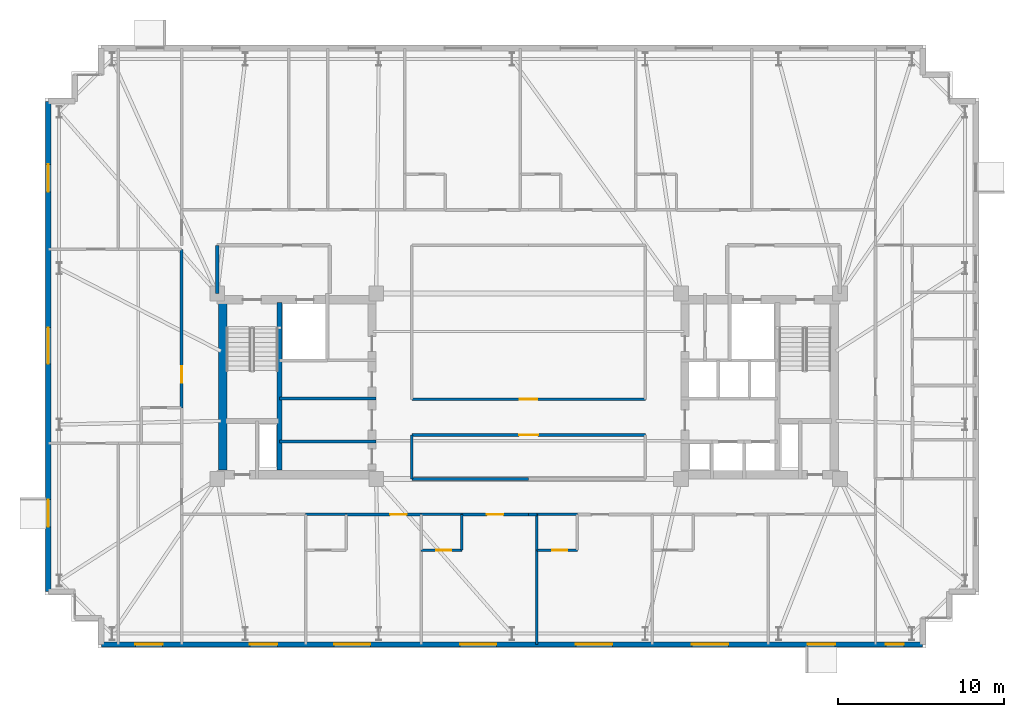
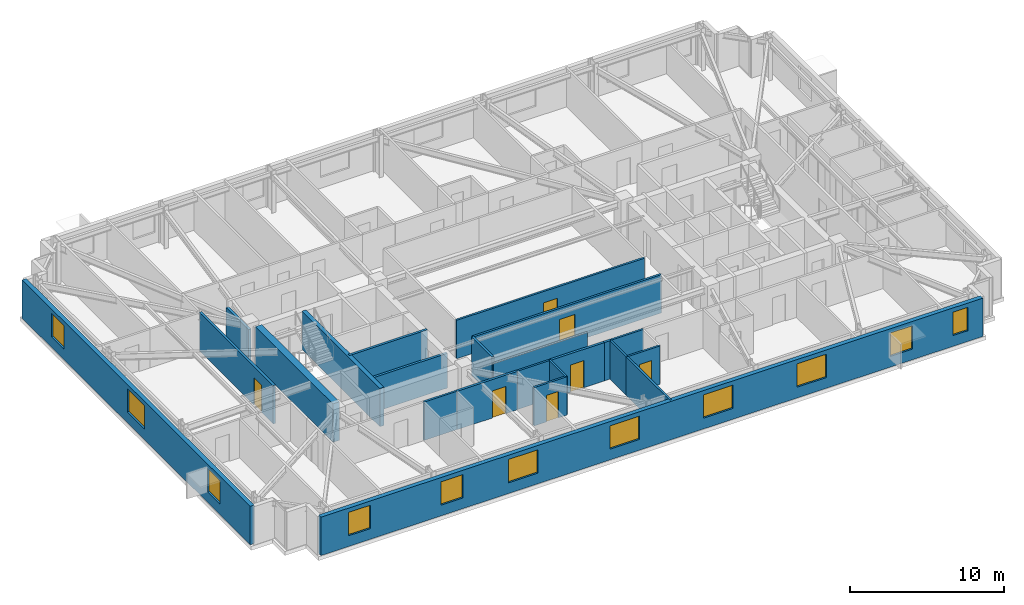
# One storey, part 11 of 17: 23 walls, 11 windows, 7 doors, 18 openings.
"""IFC4 building model written with IfcOpenShell, lengths in metres."""

from ifc_helpers import new_model, si_unit, direction, frame, frame_2d, origin, place, context, subcontext, project, spatial, rectangle, extrude, material, layer, layer_set, type_object, element, fill, save


model = new_model("IFC4")

# Units and contexts
model_context = context("Model", 3, precision=1e-05, world=origin(), true_north=direction((0.0, 1.0)))
body_context = subcontext(model_context, "Body", "Model", "MODEL_VIEW")
ifc_project = project(units=[si_unit("LENGTHUNIT", "METRE"), si_unit("AREAUNIT", "SQUARE_METRE"), si_unit("VOLUMEUNIT", "CUBIC_METRE"), si_unit("PLANEANGLEUNIT", "RADIAN"), si_unit("MASSUNIT", "GRAM", prefix="KILO")], contexts=[model_context])

# Site, building, storey
site_placement = place(None, origin())
site = spatial("IfcSite", under=ifc_project, at=site_placement, CompositionType="ELEMENT")
building_placement = place(site_placement, origin())
building = spatial("IfcBuilding", under=site, at=building_placement, Name="Qobustan Lattice House", CompositionType="ELEMENT")
storey_placement = place(building_placement, frame((0.0, 0.0, 161.14990234375)))
storey = spatial("IfcBuildingStorey", under=building, at=storey_placement, Name="L45", CompositionType="ELEMENT", Elevation=161.14990234375)

# Walls
ifc_material_1 = material(Name="Concrete C50/60", Category="concrete")
ifc_layer_1 = layer(ifc_material_1, 0.5)
ifc_layer_set_1 = layer_set([ifc_layer_1], Name="Concrete C50/60")
wall_type_1 = type_object("IfcWallType", Name="WAL-CORE-500", PredefinedType="SHEAR", material=ifc_layer_set_1)
wall_1_placement = place(storey_placement, frame((-18.4599609375, -5.050048828125, 0.0), z_axis=(0.0, 0.0, 1.0), x_axis=(0.0, 1.0, 0.0)))
element("IfcWall", 1, at=wall_1_placement, inside=storey, type_object=wall_type_1, Name="L45 split-core shear wall CW-W", PredefinedType="SHEAR", context=body_context, shape_type="SweptSolid", body=[
    extrude(rectangle(XDim=10.10009765625, YDim=0.5, at=frame_2d((5.050048828125, 0.0))), origin(), (0.0, 0.0, 1.0), 3.0400390625),
])
ifc_material_2 = material(Name="Concrete C50/60", Category="concrete")
ifc_layer_2 = layer(ifc_material_2, 0.280029296875)
ifc_layer_set_2 = layer_set([ifc_layer_2], Name="Concrete C50/60")
wall_type_2 = type_object("IfcWallType", Name="WAL-CORE-SPINE-280", PredefinedType="SHEAR", material=ifc_layer_set_2)
wall_2_placement = place(storey_placement, frame((-15.050048828125, -5.050048828125, 0.0), z_axis=(0.0, 0.0, 1.0), x_axis=(0.0, 1.0, 0.0)))
element("IfcWall", 2, at=wall_2_placement, inside=storey, type_object=wall_type_2, Name="L45 split-core shear wall CW-M", PredefinedType="SHEAR", context=body_context, shape_type="SweptSolid", body=[
    extrude(rectangle(XDim=10.10009765625, YDim=0.300048828125, at=frame_2d((5.050048828125, 0.0))), origin(), (0.0, 0.0, 1.0), 3.0400390625),
])

# Wall, openings, windows
ifc_material_3 = material(Name="Precast concrete C40/50", Category="concrete")
ifc_layer_3 = layer(ifc_material_3, 0.320068359375)
ifc_layer_set_3 = layer_set([ifc_layer_3], Name="Precast concrete C40/50")
wall_type_3 = type_object("IfcWallType", Name="WAL-EXT-STONE-320", PredefinedType="SOLIDWALL", material=ifc_layer_set_3)
wall_3_placement = place(storey_placement, frame((-29.0, -12.39990234375, 0.0), z_axis=(0.0, 0.0, 1.0), x_axis=(0.0, 1.0, 0.0)))
wall_3 = element("IfcWall", 3, at=wall_3_placement, inside=storey, type_object=wall_type_3, Name="L45 exterior limestone-clad wall 5", PredefinedType="SOLIDWALL", context=body_context, shape_type="SweptSolid", body=[
    extrude(rectangle(XDim=29.599853515625, YDim=0.320068359375, at=frame_2d((14.7998046875, 0.0))), origin(), (0.0, 0.0, 1.0), 3.0400390625),
])
opening_1_placement = place(wall_3_placement, frame((3.89501953125, 0.0, 0.85009765625)))
opening_1 = element("IfcOpeningElement", 4, at=opening_1_placement, cuts=wall_3, Name="Opening WN-09", PredefinedType="OPENING", context=body_context, shape_type="SweptSolid", body=[
    extrude(rectangle(XDim=1.64990234375, YDim=1.85009765625, at=frame_2d((0.824951171875, 0.925048828125))), frame((0.0, 0.169921875, 0.0), z_axis=(0.0, -1.0, 0.0), x_axis=(1.0, 0.0, 0.0)), (0.0, 0.0, 1.0), 0.340087890625),
])
opening_2_placement = place(wall_3_placement, frame((13.739990234375, 0.0, 0.85009765625)))
opening_2 = element("IfcOpeningElement", 5, at=opening_2_placement, cuts=wall_3, Name="Opening WN-03", PredefinedType="OPENING", context=body_context, shape_type="SweptSolid", body=[
    extrude(rectangle(XDim=2.199951171875, YDim=1.85009765625, at=frame_2d((1.10009765625, 0.925048828125))), frame((0.0, 0.169921875, 0.0), z_axis=(0.0, -1.0, 0.0), x_axis=(1.0, 0.0, 0.0)), (0.0, 0.0, 1.0), 0.340087890625),
])
opening_3_placement = place(wall_3_placement, frame((24.135009765625, 0.0, 0.85009765625)))
opening_3 = element("IfcOpeningElement", 6, at=opening_3_placement, cuts=wall_3, Name="Opening WN-09", PredefinedType="OPENING", context=body_context, shape_type="SweptSolid", body=[
    extrude(rectangle(XDim=1.64990234375, YDim=1.85009765625, at=frame_2d((0.824951171875, 0.925048828125))), frame((0.0, 0.169921875, 0.0), z_axis=(0.0, -1.0, 0.0), x_axis=(1.0, 0.0, 0.0)), (0.0, 0.0, 1.0), 0.340087890625),
])
ifc_material_4 = material(Name="Double-glazed low-E aluminium window", Category="aluminium")
window_type_1 = type_object("IfcWindowType", Name="WIN-STU-1650x1850", PartitioningType="SINGLE_PANEL", PredefinedType="WINDOW", material=ifc_material_4)
window_1_placement = place(opening_1_placement, origin())
window_1 = element("IfcWindow", 7, at=window_1_placement, inside=storey, type_object=window_type_1, Name="L45 Focus study room W1A window", OverallHeight=1.85009765625, OverallWidth=1.64990234375, PartitioningType="SINGLE_PANEL", PredefinedType="WINDOW", context=body_context, shape_type="SweptSolid", body=[
    extrude(rectangle(XDim=1.64990234375, YDim=1.85009765625, at=frame_2d((0.824951171875, 0.925048828125))), frame((0.0, 0.030029296875, 0.0), z_axis=(0.0, -1.0, 0.0), x_axis=(1.0, 0.0, 0.0)), (0.0, 0.0, 1.0), 0.06005859375),
])
fill(opening_1, window_1)
window_2_placement = place(opening_3_placement, origin())
window_2 = element("IfcWindow", 8, at=window_2_placement, inside=storey, type_object=window_type_1, Name="L45 Focus study room W3A window", OverallHeight=1.85009765625, OverallWidth=1.64990234375, PartitioningType="SINGLE_PANEL", PredefinedType="WINDOW", context=body_context, shape_type="SweptSolid", body=[
    extrude(rectangle(XDim=1.64990234375, YDim=1.85009765625, at=frame_2d((0.824951171875, 0.925048828125))), frame((0.0, 0.030029296875, 0.0), z_axis=(0.0, -1.0, 0.0), x_axis=(1.0, 0.0, 0.0)), (0.0, 0.0, 1.0), 0.06005859375),
])
fill(opening_3, window_2)
ifc_material_5 = material(Name="Double-glazed low-E aluminium window", Category="aluminium")
window_type_2 = type_object("IfcWindowType", Name="WIN-WIDE-2200x1850", PartitioningType="SINGLE_PANEL", PredefinedType="WINDOW", material=ifc_material_5)
window_3_placement = place(opening_2_placement, origin())
window_3 = element("IfcWindow", 9, at=window_3_placement, inside=storey, type_object=window_type_2, Name="L45 Kitchenette and studio apartment L45-W2 window", OverallHeight=1.85009765625, OverallWidth=2.199951171875, PartitioningType="SINGLE_PANEL", PredefinedType="WINDOW", context=body_context, shape_type="SweptSolid", body=[
    extrude(rectangle(XDim=2.199951171875, YDim=1.85009765625, at=frame_2d((1.10009765625, 0.925048828125))), frame((0.0, 0.030029296875, 0.0), z_axis=(0.0, -1.0, 0.0), x_axis=(1.0, 0.0, 0.0)), (0.0, 0.0, 1.0), 0.06005859375),
])
fill(opening_2, window_3)

wall_4_placement = place(storey_placement, frame((23.800048828125, -15.60009765625, 0.0), z_axis=(0.0, 0.0, 1.0), x_axis=(-1.0, 0.0, 0.0)))
wall_4 = element("IfcWall", 10, at=wall_4_placement, inside=storey, type_object=wall_type_3, Name="L45 exterior limestone-clad wall 20", PredefinedType="SOLIDWALL", context=body_context, shape_type="SweptSolid", body=[
    extrude(rectangle(XDim=49.60009765625, YDim=0.320068359375, at=frame_2d((24.800048828125, 0.0))), origin(), (0.0, 0.0, 1.0), 3.0400390625),
])
opening_4_placement = place(wall_4_placement, frame((1.1298828125, 0.0, 0.85009765625)))
opening_4 = element("IfcOpeningElement", 11, at=opening_4_placement, cuts=wall_4, Name="Opening WN-04", PredefinedType="OPENING", context=body_context, shape_type="SweptSolid", body=[
    extrude(rectangle(XDim=1.10009765625, YDim=1.85009765625, at=frame_2d((0.550048828125, 0.925048828125))), frame((0.0, 0.169921875, 0.0), z_axis=(0.0, -1.0, 0.0), x_axis=(1.0, 0.0, 0.0)), (0.0, 0.0, 1.0), 0.340087890625),
])
opening_5_placement = place(wall_4_placement, frame((5.294921875, 0.0, 0.85009765625)))
opening_5 = element("IfcOpeningElement", 12, at=opening_5_placement, cuts=wall_4, Name="Opening WN-09", PredefinedType="OPENING", context=body_context, shape_type="SweptSolid", body=[
    extrude(rectangle(XDim=1.64990234375, YDim=1.85009765625, at=frame_2d((0.824951171875, 0.925048828125))), frame((0.0, 0.169921875, 0.0), z_axis=(0.0, -1.0, 0.0), x_axis=(1.0, 0.0, 0.0)), (0.0, 0.0, 1.0), 0.340087890625),
])
opening_6_placement = place(wall_4_placement, frame((11.739990234375, 0.0, 0.85009765625)))
opening_6 = element("IfcOpeningElement", 13, at=opening_6_placement, cuts=wall_4, Name="Opening WN-03", PredefinedType="OPENING", context=body_context, shape_type="SweptSolid", body=[
    extrude(rectangle(XDim=2.199951171875, YDim=1.85009765625, at=frame_2d((1.10009765625, 0.925048828125))), frame((0.0, 0.169921875, 0.0), z_axis=(0.0, -1.0, 0.0), x_axis=(1.0, 0.0, 0.0)), (0.0, 0.0, 1.0), 0.340087890625),
])
opening_7_placement = place(wall_4_placement, frame((18.739990234375, 0.0, 0.85009765625)))
opening_7 = element("IfcOpeningElement", 14, at=opening_7_placement, cuts=wall_4, Name="Opening WN-03", PredefinedType="OPENING", context=body_context, shape_type="SweptSolid", body=[
    extrude(rectangle(XDim=2.199951171875, YDim=1.85009765625, at=frame_2d((1.10009765625, 0.925048828125))), frame((0.0, 0.169921875, 0.0), z_axis=(0.0, -1.0, 0.0), x_axis=(1.0, 0.0, 0.0)), (0.0, 0.0, 1.0), 0.340087890625),
])
opening_8_placement = place(wall_4_placement, frame((25.739990234375, 0.0, 0.85009765625)))
opening_8 = element("IfcOpeningElement", 15, at=opening_8_placement, cuts=wall_4, Name="Opening WN-03", PredefinedType="OPENING", context=body_context, shape_type="SweptSolid", body=[
    extrude(rectangle(XDim=2.199951171875, YDim=1.85009765625, at=frame_2d((1.10009765625, 0.925048828125))), frame((0.0, 0.169921875, 0.0), z_axis=(0.0, -1.0, 0.0), x_axis=(1.0, 0.0, 0.0)), (0.0, 0.0, 1.0), 0.340087890625),
])
opening_9_placement = place(wall_4_placement, frame((33.347900390625, 0.0, 0.85009765625)))
opening_9 = element("IfcOpeningElement", 16, at=opening_9_placement, cuts=wall_4, Name="Opening WN-03", PredefinedType="OPENING", context=body_context, shape_type="SweptSolid", body=[
    extrude(rectangle(XDim=2.199951171875, YDim=1.85009765625, at=frame_2d((1.10009765625, 0.925048828125))), frame((0.0, 0.169921875, 0.0), z_axis=(0.0, -1.0, 0.0), x_axis=(1.0, 0.0, 0.0)), (0.0, 0.0, 1.0), 0.340087890625),
])
opening_10_placement = place(wall_4_placement, frame((38.972412109375, 0.0, 0.85009765625)))
opening_10 = element("IfcOpeningElement", 17, at=opening_10_placement, cuts=wall_4, Name="Opening WN-09", PredefinedType="OPENING", context=body_context, shape_type="SweptSolid", body=[
    extrude(rectangle(XDim=1.64990234375, YDim=1.85009765625, at=frame_2d((0.824951171875, 0.925048828125))), frame((0.0, 0.169921875, 0.0), z_axis=(0.0, -1.0, 0.0), x_axis=(1.0, 0.0, 0.0)), (0.0, 0.0, 1.0), 0.340087890625),
])
opening_11_placement = place(wall_4_placement, frame((45.89501953125, 0.0, 0.85009765625)))
opening_11 = element("IfcOpeningElement", 18, at=opening_11_placement, cuts=wall_4, Name="Opening WN-09", PredefinedType="OPENING", context=body_context, shape_type="SweptSolid", body=[
    extrude(rectangle(XDim=1.64990234375, YDim=1.85009765625, at=frame_2d((0.824951171875, 0.925048828125))), frame((0.0, 0.169921875, 0.0), z_axis=(0.0, -1.0, 0.0), x_axis=(1.0, 0.0, 0.0)), (0.0, 0.0, 1.0), 0.340087890625),
])
ifc_material_6 = material(Name="Double-glazed low-E aluminium window", Category="aluminium")
window_type_3 = type_object("IfcWindowType", Name="WIN-NAR-1100x1850", PartitioningType="SINGLE_PANEL", PredefinedType="WINDOW", material=ifc_material_6)
window_4_placement = place(opening_4_placement, origin())
window_4 = element("IfcWindow", 19, at=window_4_placement, inside=storey, type_object=window_type_3, Name="L45 Reading study room L45ES window", OverallHeight=1.85009765625, OverallWidth=1.10009765625, PartitioningType="SINGLE_PANEL", PredefinedType="WINDOW", context=body_context, shape_type="SweptSolid", body=[
    extrude(rectangle(XDim=1.10009765625, YDim=1.85009765625, at=frame_2d((0.550048828125, 0.925048828125))), frame((0.0, 0.030029296875, 0.0), z_axis=(0.0, -1.0, 0.0), x_axis=(1.0, 0.0, 0.0)), (0.0, 0.0, 1.0), 0.06005859375),
])
fill(opening_4, window_4)
window_5_placement = place(opening_5_placement, origin())
window_5 = element("IfcWindow", 20, at=window_5_placement, inside=storey, type_object=window_type_1, Name="L45 Group study room window", OverallHeight=1.85009765625, OverallWidth=1.64990234375, PartitioningType="SINGLE_PANEL", PredefinedType="WINDOW", context=body_context, shape_type="SweptSolid", body=[
    extrude(rectangle(XDim=1.64990234375, YDim=1.85009765625, at=frame_2d((0.824951171875, 0.925048828125))), frame((0.0, 0.030029296875, 0.0), z_axis=(0.0, -1.0, 0.0), x_axis=(1.0, 0.0, 0.0)), (0.0, 0.0, 1.0), 0.06005859375),
])
fill(opening_5, window_5)
window_6_placement = place(opening_10_placement, origin())
window_6 = element("IfcWindow", 21, at=window_6_placement, inside=storey, type_object=window_type_1, Name="L45 Focus study room S1 window", OverallHeight=1.85009765625, OverallWidth=1.64990234375, PartitioningType="SINGLE_PANEL", PredefinedType="WINDOW", context=body_context, shape_type="SweptSolid", body=[
    extrude(rectangle(XDim=1.64990234375, YDim=1.85009765625, at=frame_2d((0.824951171875, 0.925048828125))), frame((0.0, 0.030029296875, 0.0), z_axis=(0.0, -1.0, 0.0), x_axis=(1.0, 0.0, 0.0)), (0.0, 0.0, 1.0), 0.06005859375),
])
fill(opening_10, window_6)
window_7_placement = place(opening_11_placement, origin())
window_7 = element("IfcWindow", 22, at=window_7_placement, inside=storey, type_object=window_type_1, Name="L45 Focus study room W1B window", OverallHeight=1.85009765625, OverallWidth=1.64990234375, PartitioningType="SINGLE_PANEL", PredefinedType="WINDOW", context=body_context, shape_type="SweptSolid", body=[
    extrude(rectangle(XDim=1.64990234375, YDim=1.85009765625, at=frame_2d((0.824951171875, 0.925048828125))), frame((0.0, 0.030029296875, 0.0), z_axis=(0.0, -1.0, 0.0), x_axis=(1.0, 0.0, 0.0)), (0.0, 0.0, 1.0), 0.06005859375),
])
fill(opening_11, window_7)
window_8_placement = place(opening_6_placement, origin())
window_8 = element("IfcWindow", 23, at=window_8_placement, inside=storey, type_object=window_type_2, Name="L45 Kitchenette and studio apartment L45-S5 window", OverallHeight=1.85009765625, OverallWidth=2.199951171875, PartitioningType="SINGLE_PANEL", PredefinedType="WINDOW", context=body_context, shape_type="SweptSolid", body=[
    extrude(rectangle(XDim=2.199951171875, YDim=1.85009765625, at=frame_2d((1.10009765625, 0.925048828125))), frame((0.0, 0.030029296875, 0.0), z_axis=(0.0, -1.0, 0.0), x_axis=(1.0, 0.0, 0.0)), (0.0, 0.0, 1.0), 0.06005859375),
])
fill(opening_6, window_8)
window_9_placement = place(opening_7_placement, origin())
window_9 = element("IfcWindow", 24, at=window_9_placement, inside=storey, type_object=window_type_2, Name="L45 Kitchenette and studio apartment L45-S4 window", OverallHeight=1.85009765625, OverallWidth=2.199951171875, PartitioningType="SINGLE_PANEL", PredefinedType="WINDOW", context=body_context, shape_type="SweptSolid", body=[
    extrude(rectangle(XDim=2.199951171875, YDim=1.85009765625, at=frame_2d((1.10009765625, 0.925048828125))), frame((0.0, 0.030029296875, 0.0), z_axis=(0.0, -1.0, 0.0), x_axis=(1.0, 0.0, 0.0)), (0.0, 0.0, 1.0), 0.06005859375),
])
fill(opening_7, window_9)
window_10_placement = place(opening_8_placement, origin())
window_10 = element("IfcWindow", 25, at=window_10_placement, inside=storey, type_object=window_type_2, Name="L45 Kitchenette and studio apartment L45-S3 window", OverallHeight=1.85009765625, OverallWidth=2.199951171875, PartitioningType="SINGLE_PANEL", PredefinedType="WINDOW", context=body_context, shape_type="SweptSolid", body=[
    extrude(rectangle(XDim=2.199951171875, YDim=1.85009765625, at=frame_2d((1.10009765625, 0.925048828125))), frame((0.0, 0.030029296875, 0.0), z_axis=(0.0, -1.0, 0.0), x_axis=(1.0, 0.0, 0.0)), (0.0, 0.0, 1.0), 0.06005859375),
])
fill(opening_8, window_10)
window_11_placement = place(opening_9_placement, origin())
window_11 = element("IfcWindow", 26, at=window_11_placement, inside=storey, type_object=window_type_2, Name="L45 Kitchenette and studio apartment L45-S2 window", OverallHeight=1.85009765625, OverallWidth=2.199951171875, PartitioningType="SINGLE_PANEL", PredefinedType="WINDOW", context=body_context, shape_type="SweptSolid", body=[
    extrude(rectangle(XDim=2.199951171875, YDim=1.85009765625, at=frame_2d((1.10009765625, 0.925048828125))), frame((0.0, 0.030029296875, 0.0), z_axis=(0.0, -1.0, 0.0), x_axis=(1.0, 0.0, 0.0)), (0.0, 0.0, 1.0), 0.06005859375),
])
fill(opening_9, window_11)

# Walls
ifc_material_7 = material(Name="Gypsum fireboard acoustic partition", Category="gypsum")
ifc_layer_4 = layer(ifc_material_7, 0.179931640625)
ifc_layer_set_4 = layer_set([ifc_layer_4], Name="Gypsum fireboard acoustic partition")
wall_type_4 = type_object("IfcWallType", Name="WAL-FIRE-180", PredefinedType="PARTITIONING", material=ifc_layer_set_4)
wall_5_placement = place(storey_placement, frame((-15.050048828125, -3.35009765625, 0.0), z_axis=(0.0, 0.0, 1.0), x_axis=(1.0, 0.0, 0.0)))
element("IfcWall", 27, at=wall_5_placement, inside=storey, type_object=wall_type_4, Name="L45 interior partition 8", PredefinedType="PARTITIONING", context=body_context, shape_type="SweptSolid", body=[
    extrude(rectangle(XDim=5.85009765625, YDim=0.179931640625, at=frame_2d((2.925048828125, 0.0))), origin(), (0.0, 0.0, 1.0), 2.755126953125),
])
wall_6_placement = place(storey_placement, frame((-9.199951171875, -0.75, 0.0), z_axis=(0.0, 0.0, 1.0), x_axis=(-1.0, 0.0, 0.0)))
element("IfcWall", 28, at=wall_6_placement, inside=storey, type_object=wall_type_4, Name="L45 interior partition 9", PredefinedType="PARTITIONING", context=body_context, shape_type="SweptSolid", body=[
    extrude(rectangle(XDim=5.85009765625, YDim=0.179931640625, at=frame_2d((2.925048828125, 0.0))), origin(), (0.0, 0.0, 1.0), 3.0400390625),
])

# Wall, opening, door
wall_7_placement = place(storey_placement, frame((-6.48291015625, -7.75, 0.0), z_axis=(0.0, 0.0, 1.0), x_axis=(-1.0, 0.0, 0.0)))
wall_7 = element("IfcWall", 29, at=wall_7_placement, inside=storey, type_object=wall_type_4, Name="L45 interior partition 48", PredefinedType="PARTITIONING", context=body_context, shape_type="SweptSolid", body=[
    extrude(rectangle(XDim=4.5341796875, YDim=0.179931640625, at=frame_2d((2.26708984375, 0.0))), origin(), (0.0, 0.0, 1.0), 3.0400390625),
])
opening_12_placement = place(wall_7_placement, frame((0.876708984375, 0.0, 0.0)))
opening_12 = element("IfcOpeningElement", 30, at=opening_12_placement, cuts=wall_7, Name="Opening FD-02", PredefinedType="OPENING", context=body_context, shape_type="SweptSolid", body=[
    extrude(rectangle(XDim=1.0, YDim=2.14990234375, at=frame_2d((0.5, 1.074951171875))), frame((0.0, 0.099853515625, 0.0), z_axis=(0.0, -1.0, 0.0), x_axis=(1.0, 0.0, 0.0)), (0.0, 0.0, 1.0), 0.199951171875),
])
ifc_material_8 = material(Name="Persian walnut timber and steel frame door", Category="steel")
door_type_1 = type_object("IfcDoorType", Name="DOR-UNIT-FD-1000x2150", OperationType="NOTDEFINED", PredefinedType="DOOR", material=ifc_material_8)
door_1_placement = place(opening_12_placement, origin())
door_1 = element("IfcDoor", 31, at=door_1_placement, inside=storey, type_object=door_type_1, Name="L45 South-west floor corridor to Kitchenette and studio apartment L45-S2 door", OperationType="SINGLE_SWING_RIGHT", OverallHeight=2.14990234375, OverallWidth=1.0, PredefinedType="DOOR", context=body_context, shape_type="SweptSolid", body=[
    extrude(rectangle(XDim=1.0, YDim=2.14990234375, at=frame_2d((0.5, 1.074951171875))), frame((0.0, 0.02490234375, 0.0), z_axis=(0.0, -1.0, 0.0), x_axis=(1.0, 0.0, 0.0)), (0.0, 0.0, 1.0), 0.050048828125),
])
fill(opening_12, door_1)

wall_8_placement = place(storey_placement, frame((0.0, -7.75, 0.0), z_axis=(0.0, 0.0, 1.0), x_axis=(-1.0, 0.0, 0.0)))
wall_8 = element("IfcWall", 32, at=wall_8_placement, inside=storey, type_object=wall_type_4, Name="L45 interior partition 50", PredefinedType="PARTITIONING", context=body_context, shape_type="SweptSolid", body=[
    extrude(rectangle(XDim=4.032958984375, YDim=0.179931640625, at=frame_2d((2.0166015625, 0.0))), origin(), (0.0, 0.0, 1.0), 3.0400390625),
])
opening_13_placement = place(wall_8_placement, frame((1.5166015625, 0.0, 0.0)))
opening_13 = element("IfcOpeningElement", 33, at=opening_13_placement, cuts=wall_8, Name="Opening FD-02", PredefinedType="OPENING", context=body_context, shape_type="SweptSolid", body=[
    extrude(rectangle(XDim=1.0, YDim=2.14990234375, at=frame_2d((0.5, 1.074951171875))), frame((0.0, 0.099853515625, 0.0), z_axis=(0.0, -1.0, 0.0), x_axis=(1.0, 0.0, 0.0)), (0.0, 0.0, 1.0), 0.199951171875),
])
door_2_placement = place(opening_13_placement, origin())
door_2 = element("IfcDoor", 34, at=door_2_placement, inside=storey, type_object=door_type_1, Name="L45 South-west floor corridor to Kitchenette and studio apartment L45-S3 door", OperationType="SINGLE_SWING_LEFT", OverallHeight=2.14990234375, OverallWidth=1.0, PredefinedType="DOOR", context=body_context, shape_type="SweptSolid", body=[
    extrude(rectangle(XDim=1.0, YDim=2.14990234375, at=frame_2d((0.5, 1.074951171875))), frame((0.0, 0.02490234375, 0.0), z_axis=(0.0, -1.0, 0.0), x_axis=(1.0, 0.0, 0.0)), (0.0, 0.0, 1.0), 0.050048828125),
])
fill(opening_13, door_2)

# Wall
wall_9_placement = place(storey_placement, frame((0.5, -7.75, 0.0), z_axis=(0.0, 0.0, 1.0), x_axis=(-1.0, 0.0, 0.0)))
element("IfcWall", 35, at=wall_9_placement, inside=storey, type_object=wall_type_4, Name="L45 interior partition 54", PredefinedType="PARTITIONING", context=body_context, shape_type="SweptSolid", body=[
    extrude(rectangle(XDim=0.5, YDim=0.179931640625, at=frame_2d((0.25, 0.0))), origin(), (0.0, 0.0, 1.0), 3.0400390625),
])

# Wall, opening, door
wall_10_placement = place(storey_placement, frame((-20.949951171875, -1.31005859375, 0.0), z_axis=(0.0, 0.0, 1.0), x_axis=(0.0, 1.0, 0.0)))
wall_10 = element("IfcWall", 36, at=wall_10_placement, inside=storey, type_object=wall_type_4, Name="L45 interior partition 62", PredefinedType="PARTITIONING", context=body_context, shape_type="SweptSolid", body=[
    extrude(rectangle(XDim=9.570068359375, YDim=0.179931640625, at=frame_2d((4.78515625, 0.0))), origin(), (0.0, 0.0, 1.0), 3.0400390625),
])
opening_14_placement = place(wall_10_placement, frame((1.50634765625, 0.0, 0.0)))
opening_14 = element("IfcOpeningElement", 37, at=opening_14_placement, cuts=wall_10, Name="Opening FD-02", PredefinedType="OPENING", context=body_context, shape_type="SweptSolid", body=[
    extrude(rectangle(XDim=1.0, YDim=2.14990234375, at=frame_2d((0.5, 1.074951171875))), frame((0.0, 0.099853515625, 0.0), z_axis=(0.0, -1.0, 0.0), x_axis=(1.0, 0.0, 0.0)), (0.0, 0.0, 1.0), 0.199951171875),
])
door_3_placement = place(opening_14_placement, origin())
door_3 = element("IfcDoor", 38, at=door_3_placement, inside=storey, type_object=door_type_1, Name="L45 West wing spine gallery to Kitchenette and studio apartment L45-W2 door", OperationType="SINGLE_SWING_RIGHT", OverallHeight=2.14990234375, OverallWidth=1.0, PredefinedType="DOOR", context=body_context, shape_type="SweptSolid", body=[
    extrude(rectangle(XDim=1.0, YDim=2.14990234375, at=frame_2d((0.5, 1.074951171875))), frame((0.0, 0.02490234375, 0.0), z_axis=(0.0, -1.0, 0.0), x_axis=(1.0, 0.0, 0.0)), (0.0, 0.0, 1.0), 0.050048828125),
])
fill(opening_14, door_3)

ifc_material_9 = material(Name="Acoustic twin-stud gypsum partition", Category="gypsum")
ifc_layer_5 = layer(ifc_material_9, 0.14990234375)
ifc_layer_set_5 = layer_set([ifc_layer_5], Name="Acoustic twin-stud gypsum partition")
wall_type_5 = type_object("IfcWallType", Name="WAL-PART-150", PredefinedType="PARTITIONING", material=ifc_layer_set_5)
wall_11_placement = place(storey_placement, frame((-7.050048828125, -0.800048828125, 0.0), z_axis=(0.0, 0.0, 1.0), x_axis=(1.0, 0.0, 0.0)))
wall_11 = element("IfcWall", 39, at=wall_11_placement, inside=storey, type_object=wall_type_5, Name="L45 interior partition 65", PredefinedType="PARTITIONING", context=body_context, shape_type="SweptSolid", body=[
    extrude(rectangle(XDim=14.10009765625, YDim=0.14990234375, at=frame_2d((7.050048828125, 0.0))), origin(), (0.0, 0.0, 1.0), 3.0400390625),
])
opening_15_placement = place(wall_11_placement, frame((6.52490234375, 0.0, 0.0)))
opening_15 = element("IfcOpeningElement", 40, at=opening_15_placement, cuts=wall_11, Name="Opening ID-02", PredefinedType="OPENING", context=body_context, shape_type="SweptSolid", body=[
    extrude(rectangle(XDim=1.050048828125, YDim=2.14990234375, at=frame_2d((0.52490234375, 1.074951171875))), frame((0.0, 0.0849609375, 0.0), z_axis=(0.0, -1.0, 0.0), x_axis=(1.0, 0.0, 0.0)), (0.0, 0.0, 1.0), 0.169921875),
])
ifc_material_10 = material(Name="Persian walnut timber and steel frame door", Category="steel")
door_type_2 = type_object("IfcDoorType", Name="DOR-STUDY-1050x2150", OperationType="NOTDEFINED", PredefinedType="DOOR", material=ifc_material_10)
door_4_placement = place(opening_15_placement, origin())
door_4 = element("IfcDoor", 41, at=door_4_placement, inside=storey, type_object=door_type_2, Name="L45 Central spine corridor to Central study commons door", OperationType="SINGLE_SWING_RIGHT", OverallHeight=2.14990234375, OverallWidth=1.050048828125, PredefinedType="DOOR", context=body_context, shape_type="SweptSolid", body=[
    extrude(rectangle(XDim=1.050048828125, YDim=2.14990234375, at=frame_2d((0.52490234375, 1.074951171875))), frame((0.0, 0.02490234375, 0.0), z_axis=(0.0, -1.0, 0.0), x_axis=(1.0, 0.0, 0.0)), (0.0, 0.0, 1.0), 0.050048828125),
])
fill(opening_15, door_4)

# Walls
wall_12_placement = place(storey_placement, frame((0.5, -9.89990234375, 0.0), z_axis=(0.0, 0.0, 1.0), x_axis=(0.0, -1.0, 0.0)))
element("IfcWall", 42, at=wall_12_placement, inside=storey, type_object=wall_type_5, Name="L45 interior partition 120", PredefinedType="PARTITIONING", context=body_context, shape_type="SweptSolid", body=[
    extrude(rectangle(XDim=5.7001953125, YDim=0.14990234375, at=frame_2d((2.85009765625, 0.0))), origin(), (0.0, 0.0, 1.0), 3.0400390625),
])
ifc_material_11 = material(Name="High-mass acoustic twin-stud partition", Category="gypsum")
ifc_layer_6 = layer(ifc_material_11, 0.1650390625)
ifc_layer_set_6 = layer_set([ifc_layer_6], Name="High-mass acoustic twin-stud partition")
wall_type_6 = type_object("IfcWallType", Name="WAL-PART-165", PredefinedType="PARTITIONING", material=ifc_layer_set_6)
wall_13_placement = place(storey_placement, frame((-7.050048828125, -5.60009765625, 0.0), z_axis=(0.0, 0.0, 1.0), x_axis=(1.0, 0.0, 0.0)))
element("IfcWall", 43, at=wall_13_placement, inside=storey, type_object=wall_type_6, Name="L45 interior partition 52", PredefinedType="PARTITIONING", context=body_context, shape_type="SweptSolid", body=[
    extrude(rectangle(XDim=7.050048828125, YDim=0.1650390625, at=frame_2d((3.52490234375, 0.0))), origin(), (0.0, 0.0, 1.0), 2.525146484375),
])

# Wall, opening, door
wall_14_placement = place(storey_placement, frame((7.050048828125, -2.949951171875, 0.0), z_axis=(0.0, 0.0, 1.0), x_axis=(-1.0, 0.0, 0.0)))
wall_14 = element("IfcWall", 44, at=wall_14_placement, inside=storey, type_object=wall_type_6, Name="L45 interior partition 66", PredefinedType="PARTITIONING", context=body_context, shape_type="SweptSolid", body=[
    extrude(rectangle(XDim=14.10009765625, YDim=0.1650390625, at=frame_2d((7.050048828125, 0.0))), origin(), (0.0, 0.0, 1.0), 3.0400390625),
])
opening_16_placement = place(wall_14_placement, frame((6.47509765625, 0.0, 0.0)))
opening_16 = element("IfcOpeningElement", 45, at=opening_16_placement, cuts=wall_14, Name="Opening ID-03", PredefinedType="OPENING", context=body_context, shape_type="SweptSolid", body=[
    extrude(rectangle(XDim=1.14990234375, YDim=2.14990234375, at=frame_2d((0.574951171875, 1.074951171875))), frame((0.0, 0.092529296875, 0.0), z_axis=(0.0, -1.0, 0.0), x_axis=(1.0, 0.0, 0.0)), (0.0, 0.0, 1.0), 0.18505859375),
])
ifc_material_12 = material(Name="Persian walnut timber and steel frame door", Category="steel")
door_type_3 = type_object("IfcDoorType", Name="DOR-KITCH-1150x2150", OperationType="NOTDEFINED", PredefinedType="DOOR", material=ifc_material_12)
door_5_placement = place(opening_16_placement, origin())
door_5 = element("IfcDoor", 46, at=door_5_placement, inside=storey, type_object=door_type_3, Name="L45 Central spine corridor to Shared kitchen and tea room door", OperationType="SINGLE_SWING_LEFT", OverallHeight=2.14990234375, OverallWidth=1.14990234375, PredefinedType="DOOR", context=body_context, shape_type="SweptSolid", body=[
    extrude(rectangle(XDim=1.14990234375, YDim=2.14990234375, at=frame_2d((0.574951171875, 1.074951171875))), frame((0.0, 0.02490234375, 0.0), z_axis=(0.0, -1.0, 0.0), x_axis=(1.0, 0.0, 0.0)), (0.0, 0.0, 1.0), 0.050048828125),
])
fill(opening_16, door_5)

# Walls
wall_15_placement = place(storey_placement, frame((-7.050048828125, -2.949951171875, 0.0), z_axis=(0.0, 0.0, 1.0), x_axis=(0.0, -1.0, 0.0)))
element("IfcWall", 47, at=wall_15_placement, inside=storey, type_object=wall_type_6, Name="L45 interior partition 68", PredefinedType="PARTITIONING", context=body_context, shape_type="SweptSolid", body=[
    extrude(rectangle(XDim=2.650146484375, YDim=0.1650390625, at=frame_2d((1.3251953125, 0.0))), origin(), (0.0, 0.0, 1.0), 3.0400390625),
])
ifc_material_13 = material(Name="Two-hour gypsum fireboard acoustic partition", Category="gypsum")
ifc_layer_7 = layer(ifc_material_13, 0.199951171875)
ifc_layer_set_7 = layer_set([ifc_layer_7], Name="Two-hour gypsum fireboard acoustic partition")
wall_type_7 = type_object("IfcWallType", Name="WAL-PROT-200", PredefinedType="PARTITIONING", material=ifc_layer_set_7)
wall_16_placement = place(storey_placement, frame((-18.800048828125, 8.5, 0.0), z_axis=(0.0, 0.0, 1.0), x_axis=(0.0, -1.0, 0.0)))
element("IfcWall", 48, at=wall_16_placement, inside=storey, type_object=wall_type_7, Name="L45 interior partition 4", PredefinedType="PARTITIONING", context=body_context, shape_type="SweptSolid", body=[
    extrude(rectangle(XDim=2.89990234375, YDim=0.199951171875, at=frame_2d((1.449951171875, 0.0))), origin(), (0.0, 0.0, 1.0), 2.525146484375),
])
ifc_material_14 = material(Name="Moisture-resistant acoustic plumbing wall", Category="gypsum")
ifc_layer_8 = layer(ifc_material_14, 0.14990234375)
ifc_layer_set_8 = layer_set([ifc_layer_8], Name="Moisture-resistant acoustic plumbing wall")
wall_type_8 = type_object("IfcWallType", Name="WAL-WET-150", PredefinedType="PLUMBINGWALL", material=ifc_layer_set_8)
for number, where, z_axis, x_axis, name in (
    (49, (-11.01708984375, -7.75, 0.0), (0.0, 0.0, 1.0), (-1.0, 0.0, 0.0), "L45 interior partition 49"),
    (50, (-4.032958984375, -7.75, 0.0), (0.0, 0.0, 1.0), (-1.0, 0.0, 0.0), "L45 interior partition 51"),
    (51, (2.949951171875, -7.75, 0.0), (0.0, 0.0, 1.0), (-1.0, 0.0, 0.0), "L45 interior partition 56"),
):
    element("IfcWall", number, at=place(storey_placement, frame(where, z_axis=z_axis, x_axis=x_axis)), inside=storey, type_object=wall_type_8, Name=name, PredefinedType="PLUMBINGWALL", context=body_context, shape_type="SweptSolid", body=[
        extrude(rectangle(XDim=2.449951171875, YDim=0.14990234375, at=frame_2d((1.22509765625, 0.0))), origin(), (0.0, 0.0, 1.0), 3.0400390625),
    ])

# Wall, opening, door
wall_17_placement = place(storey_placement, frame((-6.48291015625, -9.89990234375, 0.0), z_axis=(0.0, 0.0, 1.0), x_axis=(1.0, 0.0, 0.0)))
wall_17 = element("IfcWall", 52, at=wall_17_placement, inside=storey, type_object=wall_type_8, Name="L45 interior partition 118", PredefinedType="PLUMBINGWALL", context=body_context, shape_type="SweptSolid", body=[
    extrude(rectangle(XDim=2.449951171875, YDim=0.14990234375, at=frame_2d((1.22509765625, 0.0))), origin(), (0.0, 0.0, 1.0), 3.0400390625),
])
opening_17_placement = place(wall_17_placement, frame((0.921142578125, 0.0, 0.0)))
opening_17 = element("IfcOpeningElement", 53, at=opening_17_placement, cuts=wall_17, Name="Opening WD-01", PredefinedType="OPENING", context=body_context, shape_type="SweptSolid", body=[
    extrude(rectangle(XDim=0.89990234375, YDim=2.10009765625, at=frame_2d((0.449951171875, 1.050048828125))), frame((0.0, 0.0849609375, 0.0), z_axis=(0.0, -1.0, 0.0), x_axis=(1.0, 0.0, 0.0)), (0.0, 0.0, 1.0), 0.169921875),
])
ifc_material_15 = material(Name="Persian walnut timber and steel frame door", Category="steel")
door_type_4 = type_object("IfcDoorType", Name="DOR-WET-900x2100", OperationType="NOTDEFINED", PredefinedType="DOOR", material=ifc_material_15)
door_6_placement = place(opening_17_placement, origin())
door_6 = element("IfcDoor", 54, at=door_6_placement, inside=storey, type_object=door_type_4, Name="L45 Kitchenette and studio apartment L45-S3 to En-suite bathroom L45-S3 door", OperationType="SINGLE_SWING_RIGHT", OverallHeight=2.10009765625, OverallWidth=0.89990234375, PredefinedType="DOOR", context=body_context, shape_type="SweptSolid", body=[
    extrude(rectangle(XDim=0.89990234375, YDim=2.10009765625, at=frame_2d((0.449951171875, 1.050048828125))), frame((0.0, 0.02490234375, 0.0), z_axis=(0.0, -1.0, 0.0), x_axis=(1.0, 0.0, 0.0)), (0.0, 0.0, 1.0), 0.050048828125),
])
fill(opening_17, door_6)

# Walls
for number, where, z_axis, x_axis, name in (
    (55, (-4.032958984375, -9.89990234375, 0.0), (0.0, 0.0, 1.0), (0.0, 1.0, 0.0), "L45 interior partition 119"),
    (56, (0.5, -7.75, 0.0), (0.0, 0.0, 1.0), (0.0, -1.0, 0.0), "L45 interior partition 121"),
):
    element("IfcWall", number, at=place(storey_placement, frame(where, z_axis=z_axis, x_axis=x_axis)), inside=storey, type_object=wall_type_8, Name=name, PredefinedType="PLUMBINGWALL", context=body_context, shape_type="SweptSolid", body=[
        extrude(rectangle(XDim=2.14990234375, YDim=0.14990234375, at=frame_2d((1.074951171875, 0.0))), origin(), (0.0, 0.0, 1.0), 3.0400390625),
    ])

# Wall, opening, door
wall_18_placement = place(storey_placement, frame((0.5, -9.89990234375, 0.0), z_axis=(0.0, 0.0, 1.0), x_axis=(1.0, 0.0, 0.0)))
wall_18 = element("IfcWall", 57, at=wall_18_placement, inside=storey, type_object=wall_type_8, Name="L45 interior partition 122", PredefinedType="PLUMBINGWALL", context=body_context, shape_type="SweptSolid", body=[
    extrude(rectangle(XDim=2.449951171875, YDim=0.14990234375, at=frame_2d((1.22509765625, 0.0))), origin(), (0.0, 0.0, 1.0), 3.0400390625),
])
opening_18_placement = place(wall_18_placement, frame((0.92138671875, 0.0, 0.0)))
opening_18 = element("IfcOpeningElement", 58, at=opening_18_placement, cuts=wall_18, Name="Opening WD-01", PredefinedType="OPENING", context=body_context, shape_type="SweptSolid", body=[
    extrude(rectangle(XDim=0.89990234375, YDim=2.10009765625, at=frame_2d((0.449951171875, 1.050048828125))), frame((0.0, 0.0849609375, 0.0), z_axis=(0.0, -1.0, 0.0), x_axis=(1.0, 0.0, 0.0)), (0.0, 0.0, 1.0), 0.169921875),
])
door_7_placement = place(opening_18_placement, origin())
door_7 = element("IfcDoor", 59, at=door_7_placement, inside=storey, type_object=door_type_4, Name="L45 Kitchenette and studio apartment L45-S4 to En-suite bathroom L45-S4 door", OperationType="SINGLE_SWING_LEFT", OverallHeight=2.10009765625, OverallWidth=0.89990234375, PredefinedType="DOOR", context=body_context, shape_type="SweptSolid", body=[
    extrude(rectangle(XDim=0.89990234375, YDim=2.10009765625, at=frame_2d((0.449951171875, 1.050048828125))), frame((0.0, 0.02490234375, 0.0), z_axis=(0.0, -1.0, 0.0), x_axis=(1.0, 0.0, 0.0)), (0.0, 0.0, 1.0), 0.050048828125),
])
fill(opening_18, door_7)

save(model, "model.ifc")
